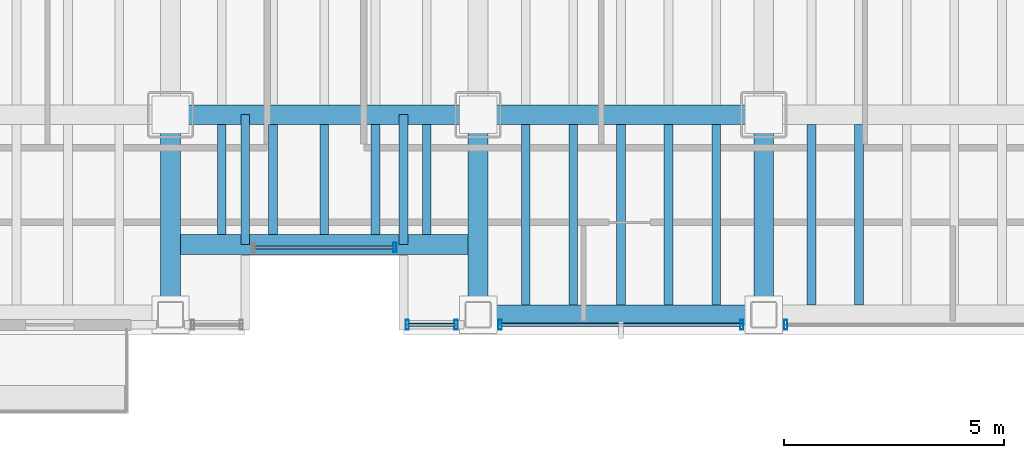
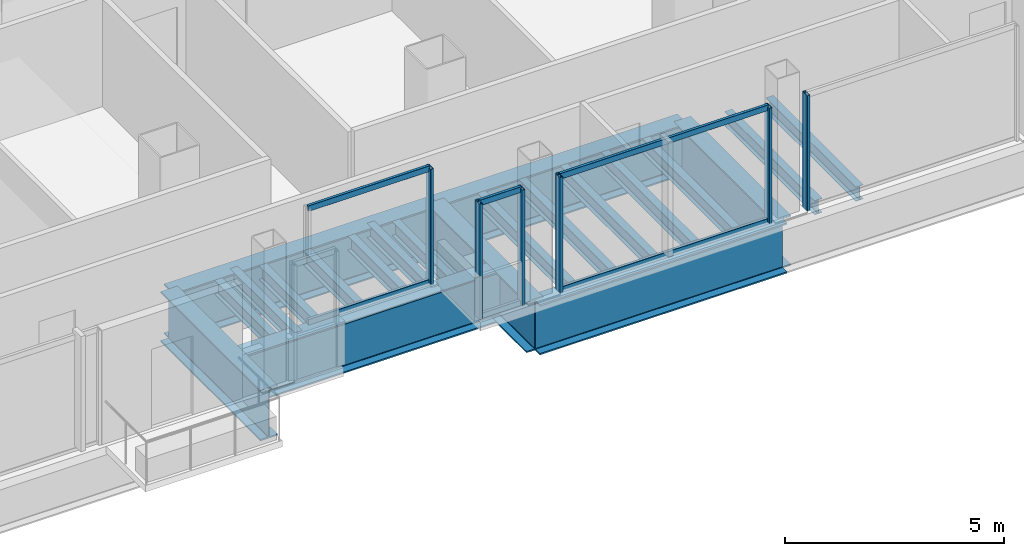
# One storey, part 6 of 23: 21 beams, 12 members, 4 elements without a shape of their own.
"""IFC4 building model written with IfcOpenShell, lengths in metres."""

from ifc_helpers import new_model, si_unit, direction, frame, origin, origin_2d, place, context, subcontext, project, spatial, hollow_rectangle, i_section, extrude, material, material_profile, profile_set, type_object, element, aggregate, save


model = new_model("IFC4")

# Units and contexts
model_context = context("Model", 3, precision=1e-05, world=origin(), true_north=direction((0.0, 1.0)))
body_context = subcontext(model_context, "Body", "Model", "MODEL_VIEW")
ifc_project = project(units=[si_unit("LENGTHUNIT", "METRE"), si_unit("AREAUNIT", "SQUARE_METRE"), si_unit("VOLUMEUNIT", "CUBIC_METRE"), si_unit("PLANEANGLEUNIT", "RADIAN"), si_unit("MASSUNIT", "GRAM", prefix="KILO")], contexts=[model_context])

# Site, building, storey
site_placement = place(None, origin())
site = spatial("IfcSite", under=ifc_project, at=site_placement, CompositionType="ELEMENT")
building_placement = place(site_placement, origin())
building = spatial("IfcBuilding", under=site, at=building_placement, Name="Noeulbin Bourse Tower", CompositionType="ELEMENT")
storey_placement = place(building_placement, frame((0.0, 0.0, 53.800048828125)))
storey = spatial("IfcBuildingStorey", under=building, at=storey_placement, Name="L13", CompositionType="ELEMENT", Elevation=53.800048828125)

# Beams
ifc_material_1 = material(Name="Steel S355", Category="steel")
ifc_material_profile_1 = material_profile(ifc_material_1, i_section(OverallWidth=0.199951171875, OverallDepth=0.39990234375, WebThickness=0.008056640625, FlangeThickness=0.012939453125, FilletRadius=0.01611328125, at=origin_2d()), Name="H-400x200x8x13", Category="LoadBearing")
ifc_profile_set_1 = profile_set([ifc_material_profile_1], Name="Steel S355")
beam_type_1 = type_object("IfcBeamType", Name="BM-SEC-400", PredefinedType="BEAM", material=ifc_profile_set_1)
for number, where, z_axis, x_axis, name in (
    (1, (25.699951171875, 17.050048828125, -0.43994140625), (0.0, 1.0, 0.0), (-1.0, 0.0, 0.0), "BM-L13-SRT-W"),
    (2, (29.300048828125, 17.050048828125, -0.43994140625), (0.0, 1.0, 0.0), (-1.0, 0.0, 0.0), "BM-L13-SRT-E"),
):
    element("IfcBeam", number, at=place(storey_placement, frame(where, z_axis=z_axis, x_axis=x_axis)), inside=storey, type_object=beam_type_1, Name=name, PredefinedType="BEAM", context=body_context, shape_type="SweptSolid", body=[
        extrude(i_section(OverallWidth=0.199951171875, OverallDepth=0.39990234375, WebThickness=0.008056640625, FlangeThickness=0.012939453125, FilletRadius=0.01611328125, at=origin_2d()), origin(), (0.0, 0.0, 1.0), 2.949951171875),
    ])
for number, where, z_axis, x_axis, name in (
    (3, (25.166748046875, 17.27490234375, -0.43994140625), (0.0, 1.0, 0.0), (-1.0, 0.0, 0.0), "Tower Composite Joist L13-25"),
    (4, (26.333251953125, 17.27490234375, -0.43994140625), (0.0, 1.0, 0.0), (-1.0, 0.0, 0.0), "Tower Composite Joist L13-28"),
    (5, (27.5, 17.27490234375, -0.43994140625), (0.0, 1.0, 0.0), (-1.0, 0.0, 0.0), "Tower Composite Joist L13-31"),
    (6, (28.666748046875, 17.27490234375, -0.43994140625), (0.0, 1.0, 0.0), (-1.0, 0.0, 0.0), "Tower Composite Joist L13-34"),
    (7, (29.833251953125, 17.27490234375, -0.43994140625), (0.0, 1.0, 0.0), (-1.0, 0.0, 0.0), "Tower Composite Joist L13-37"),
):
    element("IfcBeam", number, at=place(storey_placement, frame(where, z_axis=z_axis, x_axis=x_axis)), inside=storey, type_object=beam_type_1, Name=name, PredefinedType="BEAM", context=body_context, shape_type="SweptSolid", body=[
        extrude(i_section(OverallWidth=0.199951171875, OverallDepth=0.39990234375, WebThickness=0.008056640625, FlangeThickness=0.012939453125, FilletRadius=0.01611328125, at=origin_2d()), origin(), (0.0, 0.0, 1.0), 2.5),
    ])
for number, where, z_axis, x_axis, name in (
    (8, (32.083251953125, 15.675048828125, -0.43994140625), (0.0, 1.0, 0.0), (-1.0, 0.0, 0.0), "Tower Composite Joist L13-40"),
    (9, (33.166748046875, 15.675048828125, -0.43994140625), (0.0, 1.0, 0.0), (-1.0, 0.0, 0.0), "Tower Composite Joist L13-43"),
    (10, (34.25, 15.675048828125, -0.43994140625), (0.0, 1.0, 0.0), (-1.0, 0.0, 0.0), "Tower Composite Joist L13-46"),
    (11, (35.333251953125, 15.675048828125, -0.43994140625), (0.0, 1.0, 0.0), (-1.0, 0.0, 0.0), "Tower Composite Joist L13-49"),
    (12, (36.416748046875, 15.675048828125, -0.43994140625), (0.0, 1.0, 0.0), (-1.0, 0.0, 0.0), "Tower Composite Joist L13-52"),
    (13, (38.583251953125, 15.675048828125, -0.43994140625), (0.0, 1.0, 0.0), (-1.0, 0.0, 0.0), "Tower Composite Joist L13-55"),
    (14, (39.666748046875, 15.675048828125, -0.43994140625), (0.0, 1.0, 0.0), (-1.0, 0.0, 0.0), "Tower Composite Joist L13-58"),
):
    element("IfcBeam", number, at=place(storey_placement, frame(where, z_axis=z_axis, x_axis=x_axis)), inside=storey, type_object=beam_type_1, Name=name, PredefinedType="BEAM", context=body_context, shape_type="SweptSolid", body=[
        extrude(i_section(OverallWidth=0.199951171875, OverallDepth=0.39990234375, WebThickness=0.008056640625, FlangeThickness=0.012939453125, FilletRadius=0.01611328125, at=origin_2d()), origin(), (0.0, 0.0, 1.0), 4.099853515625),
    ])
ifc_material_2 = material(Name="Steel S460", Category="steel")
ifc_material_profile_2 = material_profile(ifc_material_2, i_section(OverallWidth=0.449951171875, OverallDepth=1.39990234375, WebThickness=0.02392578125, FlangeThickness=0.0400390625, FilletRadius=0.02392578125, at=origin_2d()), Name="PG-1400x450x24x40", Category="LoadBearing")
ifc_profile_set_2 = profile_set([ifc_material_profile_2], Name="Steel S460")
beam_type_2 = type_object("IfcBeamType", Name="BM-TRF-1400", PredefinedType="USERDEFINED", material=ifc_profile_set_2)
beam_1_placement = place(storey_placement, frame((24.0, 20.0, -0.93994140625), z_axis=(1.0, 0.0, 0.0), x_axis=(0.0, 1.0, 0.0)))
element("IfcBeam", 15, at=beam_1_placement, inside=storey, type_object=beam_type_2, Name="Tower Primary Girder EW L13-1.3", ObjectType="GIRDER", PredefinedType="USERDEFINED", context=body_context, shape_type="SweptSolid", body=[
    extrude(i_section(OverallWidth=0.449951171875, OverallDepth=1.39990234375, WebThickness=0.02392578125, FlangeThickness=0.0400390625, FilletRadius=0.02392578125, at=origin_2d()), origin(), (0.0, 0.0, 1.0), 7.0),
])
beam_2_placement = place(storey_placement, frame((31.0, 20.0, -0.93994140625), z_axis=(1.0, 0.0, 0.0), x_axis=(0.0, 1.0, 0.0)))
element("IfcBeam", 16, at=beam_2_placement, inside=storey, type_object=beam_type_2, Name="Tower Primary Girder EW L13-1.4", ObjectType="GIRDER", PredefinedType="USERDEFINED", context=body_context, shape_type="SweptSolid", body=[
    extrude(i_section(OverallWidth=0.449951171875, OverallDepth=1.39990234375, WebThickness=0.02392578125, FlangeThickness=0.0400390625, FilletRadius=0.02392578125, at=origin_2d()), origin(), (0.0, 0.0, 1.0), 6.5),
])
for number, where, z_axis, x_axis, name in (
    (17, (24.0, 15.449951171875, -0.93994140625), (0.0, 1.0, 0.0), (-1.0, 0.0, 0.0), "Tower Primary Girder NS L13-2.1"),
    (18, (31.0, 15.449951171875, -0.93994140625), (0.0, 1.0, 0.0), (-1.0, 0.0, 0.0), "Tower Primary Girder NS L13-3.1"),
    (19, (37.5, 15.449951171875, -0.93994140625), (0.0, 1.0, 0.0), (-1.0, 0.0, 0.0), "Tower Primary Girder NS L13-4.1"),
):
    element("IfcBeam", number, at=place(storey_placement, frame(where, z_axis=z_axis, x_axis=x_axis)), inside=storey, type_object=beam_type_2, Name=name, ObjectType="GIRDER", PredefinedType="USERDEFINED", context=body_context, shape_type="SweptSolid", body=[
        extrude(i_section(OverallWidth=0.449951171875, OverallDepth=1.39990234375, WebThickness=0.02392578125, FlangeThickness=0.0400390625, FilletRadius=0.02392578125, at=origin_2d()), origin(), (0.0, 0.0, 1.0), 4.550048828125),
    ])
beam_3_placement = place(storey_placement, frame((24.0, 17.050048828125, -0.93994140625), z_axis=(1.0, 0.0, 0.0), x_axis=(0.0, 1.0, 0.0)))
element("IfcBeam", 20, at=beam_3_placement, inside=storey, type_object=beam_type_2, Name="South Recess Spandrel L13-2B", ObjectType="GIRDER", PredefinedType="USERDEFINED", context=body_context, shape_type="SweptSolid", body=[
    extrude(i_section(OverallWidth=0.449951171875, OverallDepth=1.39990234375, WebThickness=0.02392578125, FlangeThickness=0.0400390625, FilletRadius=0.02392578125, at=origin_2d()), origin(), (0.0, 0.0, 1.0), 7.0),
])
beam_4_placement = place(storey_placement, frame((31.0, 15.449951171875, -0.93994140625), z_axis=(1.0, 0.0, 0.0), x_axis=(0.0, 1.0, 0.0)))
element("IfcBeam", 21, at=beam_4_placement, inside=storey, type_object=beam_type_2, Name="South Spandrel L13-3", ObjectType="GIRDER", PredefinedType="USERDEFINED", context=body_context, shape_type="SweptSolid", body=[
    extrude(i_section(OverallWidth=0.449951171875, OverallDepth=1.39990234375, WebThickness=0.02392578125, FlangeThickness=0.0400390625, FilletRadius=0.02392578125, at=origin_2d()), origin(), (0.0, 0.0, 1.0), 6.5),
])

# Curtain wall, member
ifc_material_3 = material(Name="Dark Solar-Control Double Glazing", Category="glass")
curtain_wall_type = type_object("IfcCurtainWallType", Name="CW-SYS-2", PredefinedType="NOTDEFINED", material=ifc_material_3)
curtain_wall_1_placement = place(storey_placement, origin())
curtain_wall_1 = element("IfcCurtainWall", 22, at=curtain_wall_1_placement, inside=storey, type_object=curtain_wall_type, Name="Unitised Curtain Wall CW-L13-SREC", PredefinedType="NOTDEFINED")
ifc_material_4 = material(Name="Anodised Aluminium 6063-T6", Category="aluminium")
ifc_material_profile_3 = material_profile(ifc_material_4, hollow_rectangle(XDim=0.074951171875, YDim=0.219970703125, WallThickness=0.0048828125, InnerFilletRadius=0.00244140625, OuterFilletRadius=0.0048828125, at=origin_2d()), Name="ALU-MULL-75x220x5", Category="LoadBearing")
ifc_profile_set_3 = profile_set([ifc_material_profile_3], Name="Anodised Aluminium 6063-T6")
member_type_1 = type_object("IfcMemberType", Name="CW-SYS-2-MUL", PredefinedType="MULLION", material=ifc_profile_set_3)
member_1_placement = place(storey_placement, frame((29.110107421875, 16.97998046875, -0.02001953125), z_axis=(0.0, 0.0, 1.0), x_axis=(1.0, 0.0, 0.0)))
member_1 = element("IfcMember", 23, at=member_1_placement, type_object=member_type_1, Name="Curtain Wall Mullion CW-L13-SREC-M01", PredefinedType="MULLION", context=body_context, shape_type="SweptSolid", body=[
    extrude(hollow_rectangle(XDim=0.074951171875, YDim=0.219970703125, WallThickness=0.0048828125, InnerFilletRadius=0.00244140625, OuterFilletRadius=0.0048828125, at=origin_2d()), origin(), (0.0, 0.0, 1.0), 3.219970703125),
])

# Curtain wall, members
curtain_wall_2_placement = place(storey_placement, origin())
curtain_wall_2 = element("IfcCurtainWall", 24, at=curtain_wall_2_placement, inside=storey, type_object=curtain_wall_type, Name="Unitised Curtain Wall CW-L13-S3-S1", PredefinedType="NOTDEFINED")
member_2_placement = place(storey_placement, frame((29.389892578125, 15.219970703125, -0.02001953125), z_axis=(0.0, 0.0, 1.0), x_axis=(1.0, 0.0, 0.0)))
member_2 = element("IfcMember", 25, at=member_2_placement, type_object=member_type_1, Name="Curtain Wall Mullion CW-L13-S3-S1-M00", PredefinedType="MULLION", context=body_context, shape_type="SweptSolid", body=[
    extrude(hollow_rectangle(XDim=0.074951171875, YDim=0.219970703125, WallThickness=0.0048828125, InnerFilletRadius=0.00244140625, OuterFilletRadius=0.0048828125, at=origin_2d()), origin(), (0.0, 0.0, 1.0), 3.219970703125),
])
member_3_placement = place(storey_placement, frame((30.5, 15.219970703125, -0.02001953125), z_axis=(0.0, 0.0, 1.0), x_axis=(1.0, 0.0, 0.0)))
member_3 = element("IfcMember", 26, at=member_3_placement, type_object=member_type_1, Name="Curtain Wall Mullion CW-L13-S3-S1-M01", PredefinedType="MULLION", context=body_context, shape_type="SweptSolid", body=[
    extrude(hollow_rectangle(XDim=0.074951171875, YDim=0.219970703125, WallThickness=0.0048828125, InnerFilletRadius=0.00244140625, OuterFilletRadius=0.0048828125, at=origin_2d()), origin(), (0.0, 0.0, 1.0), 3.219970703125),
])

curtain_wall_3_placement = place(storey_placement, origin())
curtain_wall_3 = element("IfcCurtainWall", 27, at=curtain_wall_3_placement, inside=storey, type_object=curtain_wall_type, Name="Unitised Curtain Wall CW-L13-S3-S2", PredefinedType="NOTDEFINED")
member_4_placement = place(storey_placement, frame((31.5, 15.219970703125, -0.02001953125), z_axis=(0.0, 0.0, 1.0), x_axis=(1.0, 0.0, 0.0)))
member_4 = element("IfcMember", 28, at=member_4_placement, type_object=member_type_1, Name="Curtain Wall Mullion CW-L13-S3-S2-M00", PredefinedType="MULLION", context=body_context, shape_type="SweptSolid", body=[
    extrude(hollow_rectangle(XDim=0.074951171875, YDim=0.219970703125, WallThickness=0.0048828125, InnerFilletRadius=0.00244140625, OuterFilletRadius=0.0048828125, at=origin_2d()), origin(), (0.0, 0.0, 1.0), 3.219970703125),
])
member_5_placement = place(storey_placement, frame((37.0, 15.219970703125, -0.02001953125), z_axis=(0.0, 0.0, 1.0), x_axis=(1.0, 0.0, 0.0)))
member_5 = element("IfcMember", 29, at=member_5_placement, type_object=member_type_1, Name="Curtain Wall Mullion CW-L13-S3-S2-M01", PredefinedType="MULLION", context=body_context, shape_type="SweptSolid", body=[
    extrude(hollow_rectangle(XDim=0.074951171875, YDim=0.219970703125, WallThickness=0.0048828125, InnerFilletRadius=0.00244140625, OuterFilletRadius=0.0048828125, at=origin_2d()), origin(), (0.0, 0.0, 1.0), 3.219970703125),
])

# Curtain wall, member
curtain_wall_4_placement = place(storey_placement, origin())
curtain_wall_4 = element("IfcCurtainWall", 30, at=curtain_wall_4_placement, inside=storey, type_object=curtain_wall_type, Name="Unitised Curtain Wall CW-L13-S3-S3", PredefinedType="NOTDEFINED")
member_6_placement = place(storey_placement, frame((38.0, 15.219970703125, -0.02001953125), z_axis=(0.0, 0.0, 1.0), x_axis=(1.0, 0.0, 0.0)))
member_6 = element("IfcMember", 31, at=member_6_placement, type_object=member_type_1, Name="Curtain Wall Mullion CW-L13-S3-S3-M00", PredefinedType="MULLION", context=body_context, shape_type="SweptSolid", body=[
    extrude(hollow_rectangle(XDim=0.074951171875, YDim=0.219970703125, WallThickness=0.0048828125, InnerFilletRadius=0.00244140625, OuterFilletRadius=0.0048828125, at=origin_2d()), origin(), (0.0, 0.0, 1.0), 3.219970703125),
])
aggregate(curtain_wall_4, [member_6])

# Member
ifc_material_profile_4 = material_profile(ifc_material_4, hollow_rectangle(XDim=0.074951171875, YDim=0.159912109375, WallThickness=0.0048828125, InnerFilletRadius=0.00244140625, OuterFilletRadius=0.0048828125, at=origin_2d()), Name="ALU-TRAN-75x160x5", Category="LoadBearing")
ifc_profile_set_4 = profile_set([ifc_material_profile_4], Name="Anodised Aluminium 6063-T6")
member_type_2 = type_object("IfcMemberType", Name="CW-SYS-2-TRN", PredefinedType="USERDEFINED", material=ifc_profile_set_4)
member_7_placement = place(storey_placement, frame((25.89990234375, 16.97998046875, 0.010009765625), z_axis=(1.0, 0.0, 0.0), x_axis=(0.0, 1.0, 0.0)))
member_7 = element("IfcMember", 32, at=member_7_placement, type_object=member_type_2, Name="Curtain Wall Transom CW-L13-SREC-T00", ObjectType="TRANSOM", PredefinedType="USERDEFINED", context=body_context, shape_type="SweptSolid", body=[
    extrude(hollow_rectangle(XDim=0.074951171875, YDim=0.159912109375, WallThickness=0.0048828125, InnerFilletRadius=0.00244140625, OuterFilletRadius=0.0048828125, at=origin_2d()), origin(), (0.0, 0.0, 1.0), 3.2001953125),
])

member_8_placement = place(storey_placement, frame((25.89990234375, 16.97998046875, 3.169921875), z_axis=(1.0, 0.0, 0.0), x_axis=(0.0, 1.0, 0.0)))
member_8 = element("IfcMember", 33, at=member_8_placement, type_object=member_type_2, Name="Curtain Wall Transom CW-L13-SREC-T01", ObjectType="TRANSOM", PredefinedType="USERDEFINED", context=body_context, shape_type="SweptSolid", body=[
    extrude(hollow_rectangle(XDim=0.074951171875, YDim=0.159912109375, WallThickness=0.0048828125, InnerFilletRadius=0.00244140625, OuterFilletRadius=0.0048828125, at=origin_2d()), origin(), (0.0, 0.0, 1.0), 3.2001953125),
])

aggregate(curtain_wall_1, [member_1, member_7, member_8])

member_9_placement = place(storey_placement, frame((29.39990234375, 15.219970703125, 0.010009765625), z_axis=(1.0, 0.0, 0.0), x_axis=(0.0, 1.0, 0.0)))
member_9 = element("IfcMember", 34, at=member_9_placement, type_object=member_type_2, Name="Curtain Wall Transom CW-L13-S3-S1-T00", ObjectType="TRANSOM", PredefinedType="USERDEFINED", context=body_context, shape_type="SweptSolid", body=[
    extrude(hollow_rectangle(XDim=0.074951171875, YDim=0.159912109375, WallThickness=0.0048828125, InnerFilletRadius=0.00244140625, OuterFilletRadius=0.0048828125, at=origin_2d()), origin(), (0.0, 0.0, 1.0), 1.090087890625),
])

member_10_placement = place(storey_placement, frame((29.39990234375, 15.219970703125, 3.169921875), z_axis=(1.0, 0.0, 0.0), x_axis=(0.0, 1.0, 0.0)))
member_10 = element("IfcMember", 35, at=member_10_placement, type_object=member_type_2, Name="Curtain Wall Transom CW-L13-S3-S1-T01", ObjectType="TRANSOM", PredefinedType="USERDEFINED", context=body_context, shape_type="SweptSolid", body=[
    extrude(hollow_rectangle(XDim=0.074951171875, YDim=0.159912109375, WallThickness=0.0048828125, InnerFilletRadius=0.00244140625, OuterFilletRadius=0.0048828125, at=origin_2d()), origin(), (0.0, 0.0, 1.0), 1.090087890625),
])

aggregate(curtain_wall_2, [member_2, member_3, member_9, member_10])

member_11_placement = place(storey_placement, frame((31.510009765625, 15.219970703125, 0.010009765625), z_axis=(1.0, 0.0, 0.0), x_axis=(0.0, 1.0, 0.0)))
member_11 = element("IfcMember", 36, at=member_11_placement, type_object=member_type_2, Name="Curtain Wall Transom CW-L13-S3-S2-T00", ObjectType="TRANSOM", PredefinedType="USERDEFINED", context=body_context, shape_type="SweptSolid", body=[
    extrude(hollow_rectangle(XDim=0.074951171875, YDim=0.159912109375, WallThickness=0.0048828125, InnerFilletRadius=0.00244140625, OuterFilletRadius=0.0048828125, at=origin_2d()), origin(), (0.0, 0.0, 1.0), 5.47998046875),
])

member_12_placement = place(storey_placement, frame((31.510009765625, 15.219970703125, 3.169921875), z_axis=(1.0, 0.0, 0.0), x_axis=(0.0, 1.0, 0.0)))
member_12 = element("IfcMember", 37, at=member_12_placement, type_object=member_type_2, Name="Curtain Wall Transom CW-L13-S3-S2-T01", ObjectType="TRANSOM", PredefinedType="USERDEFINED", context=body_context, shape_type="SweptSolid", body=[
    extrude(hollow_rectangle(XDim=0.074951171875, YDim=0.159912109375, WallThickness=0.0048828125, InnerFilletRadius=0.00244140625, OuterFilletRadius=0.0048828125, at=origin_2d()), origin(), (0.0, 0.0, 1.0), 5.47998046875),
])

aggregate(curtain_wall_3, [member_4, member_5, member_11, member_12])

save(model, "model.ifc")
